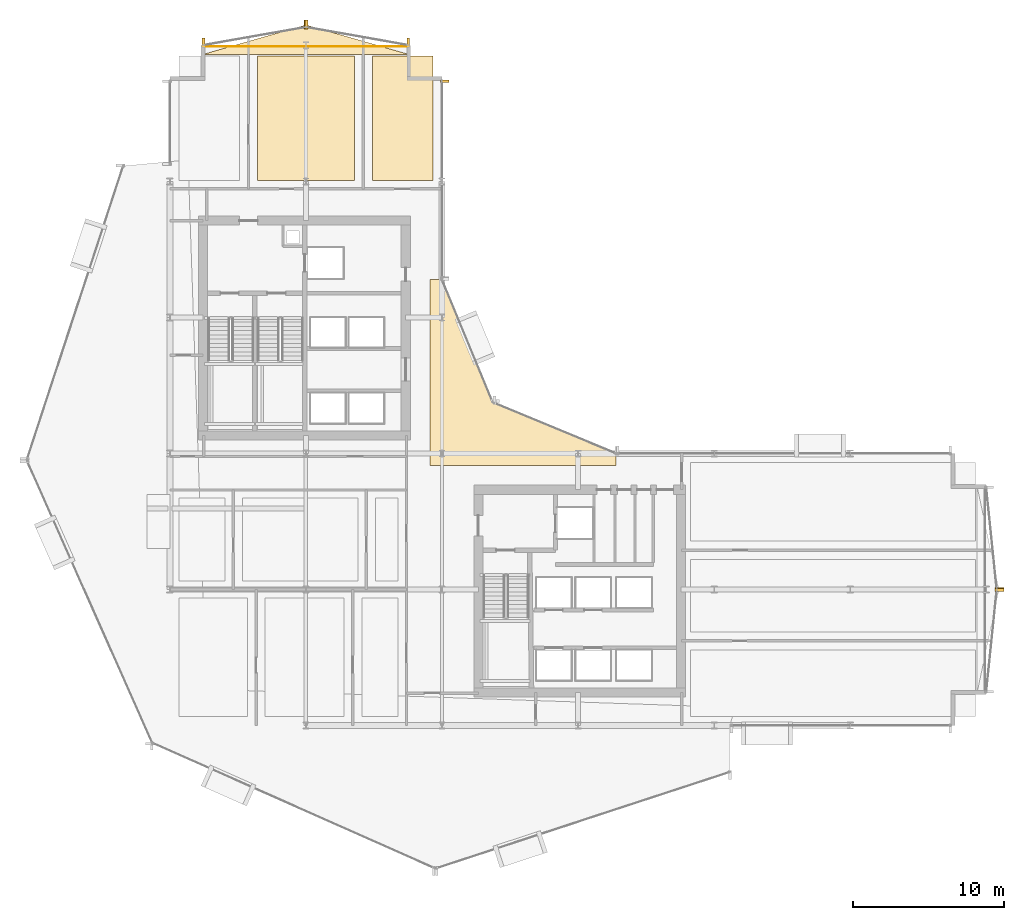
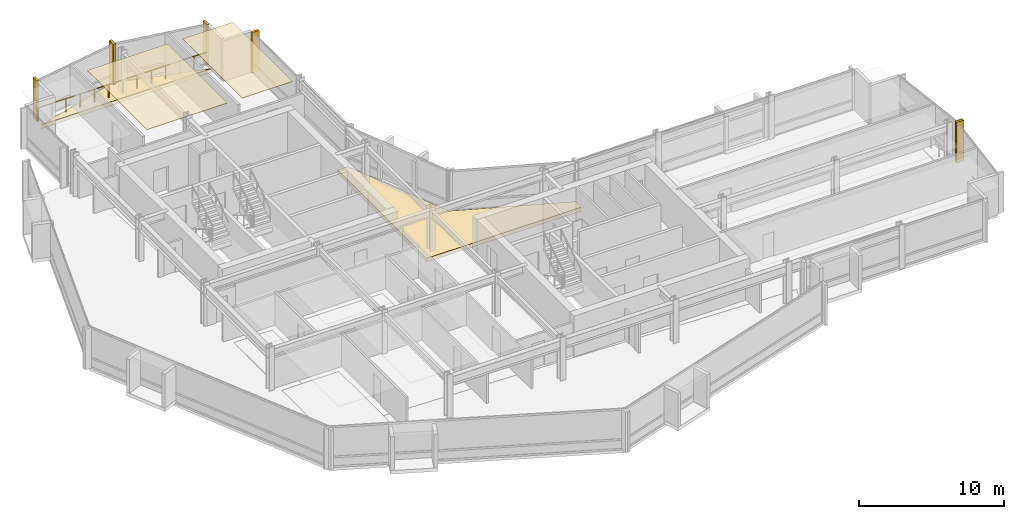
# One storey, part 34 of 34: 11 coverings, 1 railing.
"""IFC4 building model written with IfcOpenShell, lengths in metres."""

from ifc_helpers import new_model, si_unit, direction, frame, origin, origin_2d, place, context, subcontext, project, spatial, polyline, rectangle, circle, outline, extrude, material, layer, layer_set, type_object, element, save


model = new_model("IFC4")

# Units and contexts
model_context = context("Model", 3, precision=1e-05, world=origin(), true_north=direction((0.0, 1.0)))
body_context = subcontext(model_context, "Body", "Model", "MODEL_VIEW")
ifc_project = project(units=[si_unit("LENGTHUNIT", "METRE"), si_unit("AREAUNIT", "SQUARE_METRE"), si_unit("VOLUMEUNIT", "CUBIC_METRE"), si_unit("PLANEANGLEUNIT", "RADIAN"), si_unit("MASSUNIT", "GRAM", prefix="KILO")], contexts=[model_context])

# Site, building, storey
site_placement = place(None, origin())
site = spatial("IfcSite", under=ifc_project, at=site_placement, CompositionType="ELEMENT")
building_placement = place(site_placement, origin())
building = spatial("IfcBuilding", under=site, at=building_placement, Name="Solvaryn Broadcast Tower", CompositionType="ELEMENT")
storey_placement = place(building_placement, frame((0.0, 0.0, 73.0)))
storey = spatial("IfcBuildingStorey", under=building, at=storey_placement, Name="L17", CompositionType="ELEMENT", Elevation=73.0)

# Coverings
ifc_material_1 = material(Name="Micro-Perforated Acoustic Gypsum Ceiling", Category="concrete")
ifc_layer_1 = layer(ifc_material_1, 0.0400390625)
ifc_layer_set_1 = layer_set([ifc_layer_1], Name="CV-CEIL-ACOUSTIC")
covering_type_1 = type_object("IfcCoveringType", Name="CV-CEIL-ACOUSTIC", PredefinedType="CEILING", material=ifc_layer_set_1)
covering_1_placement = place(storey_placement, frame((0.0, 0.0, 3.3798828125)))
element("IfcCovering", 1, at=covering_1_placement, inside=storey, type_object=covering_type_1, Name="L17 Room Acoustic Ceiling 8", PredefinedType="CEILING", context=body_context, shape_type="SweptSolid", body=[
    extrude(outline(polyline([(14.800048828125, 45.070068359375), (21.199951171875, 45.070068359375), (21.199951171875, 53.300048828125), (14.800048828125, 53.300048828125), (14.800048828125, 45.070068359375)])), origin(), (0.0, 0.0, 1.0), 0.0400390625),
])
covering_2_placement = place(storey_placement, frame((0.0, 0.0, 3.3798828125)))
element("IfcCovering", 2, at=covering_2_placement, inside=storey, type_object=covering_type_1, Name="L17 Room Acoustic Ceiling 9", PredefinedType="CEILING", context=body_context, shape_type="SweptSolid", body=[
    extrude(outline(polyline([(22.39990234375, 45.070068359375), (26.39990234375, 45.070068359375), (26.39990234375, 53.300048828125), (22.39990234375, 53.300048828125), (22.39990234375, 45.070068359375)])), origin(), (0.0, 0.0, 1.0), 0.0400390625),
])
ifc_material_2 = material(Name="Extruded Architectural Terracotta Fin", Category="masonry")
ifc_layer_2 = layer(ifc_material_2, 0.179931640625)
ifc_layer_set_2 = layer_set([ifc_layer_2], Name="CV-TC-FIN")
covering_type_2 = type_object("IfcCoveringType", Name="CV-TC-FIN", PredefinedType="USERDEFINED", material=ifc_layer_set_2)
covering_3_placement = place(storey_placement, frame((27.1875, 51.6201171875, 0.0), z_axis=(0.0, 0.0, 1.0), x_axis=(1.0, 0.0, 0.0)))
element("IfcCovering", 3, at=covering_3_placement, inside=storey, type_object=covering_type_2, Name="L17 Terracotta Vertical Fin FIN-L17-IV-M00", ObjectType="FIN", PredefinedType="USERDEFINED", context=body_context, shape_type="SweptSolid", body=[
    extrude(rectangle(XDim=0.580078125, YDim=0.179931640625, at=origin_2d()), origin(), (0.0, 0.0, 1.0), 3.419921875),
])
for number, where, z_axis, x_axis, name in (
    (4, (24.7705078125, 54.192626953125, 0.0), (0.0, 0.0, 1.0), (1.0, 0.0, 0.0), "L17 Terracotta Vertical Fin FIN-L17-NT1-M00"),
    (5, (18.029541015625, 55.38232421875, 0.0), (0.0, 0.0, 1.0), (1.0, 0.0, 0.0), "L17 Terracotta Vertical Fin FIN-L17-NT1-M01"),
    (6, (17.970458984375, 55.38232421875, 0.0), (0.0, 0.0, 1.0), (1.0, 0.0, 0.0), "L17 Terracotta Vertical Fin FIN-L17-NT2-M00"),
    (7, (11.2294921875, 54.192626953125, 0.0), (0.0, 0.0, 1.0), (1.0, 0.0, 0.0), "L17 Terracotta Vertical Fin FIN-L17-NT2-M01"),
):
    element("IfcCovering", number, at=place(storey_placement, frame(where, z_axis=z_axis, x_axis=x_axis)), inside=storey, type_object=covering_type_2, Name=name, ObjectType="FIN", PredefinedType="USERDEFINED", context=body_context, shape_type="SweptSolid", body=[
        extrude(rectangle(XDim=0.179931640625, YDim=0.580078125, at=origin_2d()), origin(), (0.0, 0.0, 1.0), 3.419921875),
    ])
for number, where, z_axis, x_axis, name in (
    (8, (63.884521484375, 18.02978515625, 0.0), (0.0, 0.0, 1.0), (1.0, 0.0, 0.0), "L17 Terracotta Vertical Fin FIN-L17-ET1-M01"),
    (9, (63.884521484375, 17.97021484375, 0.0), (0.0, 0.0, 1.0), (1.0, 0.0, 0.0), "L17 Terracotta Vertical Fin FIN-L17-ET2-M00"),
):
    element("IfcCovering", number, at=place(storey_placement, frame(where, z_axis=z_axis, x_axis=x_axis)), inside=storey, type_object=covering_type_2, Name=name, ObjectType="FIN", PredefinedType="USERDEFINED", context=body_context, shape_type="SweptSolid", body=[
        extrude(rectangle(XDim=0.580078125, YDim=0.179931640625, at=origin_2d()), origin(), (0.0, 0.0, 1.0), 3.419921875),
    ])
ifc_material_3 = material(Name="Sculpted Architectural Terracotta Wave Fascia", Category="masonry")
ifc_layer_3 = layer(ifc_material_3, 0.340087890625)
ifc_layer_set_3 = layer_set([ifc_layer_3], Name="CV-WAVE-TRAY")
covering_type_3 = type_object("IfcCoveringType", Name="CV-WAVE-TRAY", PredefinedType="CLADDING", material=ifc_layer_set_3)
covering_4_placement = place(storey_placement, frame((0.0, 0.0, -0.300048828125)))
element("IfcCovering", 10, at=covering_4_placement, inside=storey, type_object=covering_type_3, Name="L17 Concave Canyon Floor Apron", PredefinedType="CLADDING", context=body_context, shape_type="SweptSolid", body=[
    extrude(outline(polyline([(26.199951171875, 26.199951171875), (38.5, 26.199951171875), (38.5, 27.0), (30.367919921875, 30.367919921875), (27.0, 38.5), (26.199951171875, 38.5), (26.199951171875, 26.199951171875)])), origin(), (0.0, 0.0, 1.0), 0.330078125),
])
covering_5_placement = place(storey_placement, frame((0.0, 0.0, -0.300048828125)))
element("IfcCovering", 11, at=covering_5_placement, inside=storey, type_object=covering_type_3, Name="L17 North Curved Wing Deck", PredefinedType="CLADDING", context=body_context, shape_type="SweptSolid", body=[
    extrude(outline(polyline([(11.199951171875, 53.39990234375), (24.800048828125, 53.39990234375), (18.0, 55.35009765625), (11.199951171875, 53.39990234375)])), origin(), (0.0, 0.0, 1.0), 0.330078125),
])

# Railing
ifc_material_4 = material(Name="Stainless Steel and Laminated Glass Guard", Category="steel")
railing_type = type_object("IfcRailingType", Name="RL-TER-1150", PredefinedType="BALUSTRADE", material=ifc_material_4)
railing_placement = place(storey_placement, frame((11.199951171875, 53.919921875, 0.0)))
element("IfcRailing", 12, at=railing_placement, inside=storey, type_object=railing_type, Name="L17 North Wing Spandrel Edge Guard", PredefinedType="BALUSTRADE", context=body_context, shape_type="SweptSolid", body=[
    extrude(circle(Radius=0.02392578125, at=origin_2d()), frame((0.0, 0.0, 1.1259765625), z_axis=(1.0, 0.0, 0.0), x_axis=(0.0, 1.0, 0.0)), (0.0, 0.0, 1.0), 13.60009765625),
    extrude(circle(Radius=0.02099609375, at=origin_2d()), origin(), (0.0, 0.0, 1.0), 1.101806640625),
    extrude(circle(Radius=0.02099609375, at=origin_2d()), frame((1.13330078125, 0.0, 0.0)), (0.0, 0.0, 1.0), 1.101806640625),
    extrude(circle(Radius=0.02099609375, at=origin_2d()), frame((2.2666015625, 0.0, 0.0)), (0.0, 0.0, 1.0), 1.101806640625),
    extrude(circle(Radius=0.02099609375, at=origin_2d()), frame((3.39990234375, 0.0, 0.0)), (0.0, 0.0, 1.0), 1.101806640625),
    extrude(circle(Radius=0.02099609375, at=origin_2d()), frame((4.533447265625, 0.0, 0.0)), (0.0, 0.0, 1.0), 1.101806640625),
    extrude(circle(Radius=0.02099609375, at=origin_2d()), frame((5.666748046875, 0.0, 0.0)), (0.0, 0.0, 1.0), 1.101806640625),
    extrude(circle(Radius=0.02099609375, at=origin_2d()), frame((6.800048828125, 0.0, 0.0)), (0.0, 0.0, 1.0), 1.101806640625),
    extrude(circle(Radius=0.02099609375, at=origin_2d()), frame((7.933349609375, 0.0, 0.0)), (0.0, 0.0, 1.0), 1.101806640625),
    extrude(circle(Radius=0.02099609375, at=origin_2d()), frame((9.066650390625, 0.0, 0.0)), (0.0, 0.0, 1.0), 1.101806640625),
    extrude(circle(Radius=0.02099609375, at=origin_2d()), frame((10.2001953125, 0.0, 0.0)), (0.0, 0.0, 1.0), 1.101806640625),
    extrude(circle(Radius=0.02099609375, at=origin_2d()), frame((11.33349609375, 0.0, 0.0)), (0.0, 0.0, 1.0), 1.101806640625),
    extrude(circle(Radius=0.02099609375, at=origin_2d()), frame((12.466796875, 0.0, 0.0)), (0.0, 0.0, 1.0), 1.101806640625),
    extrude(circle(Radius=0.02099609375, at=origin_2d()), frame((13.60009765625, 0.0, 0.0)), (0.0, 0.0, 1.0), 1.101806640625),
])

save(model, "model.ifc")
